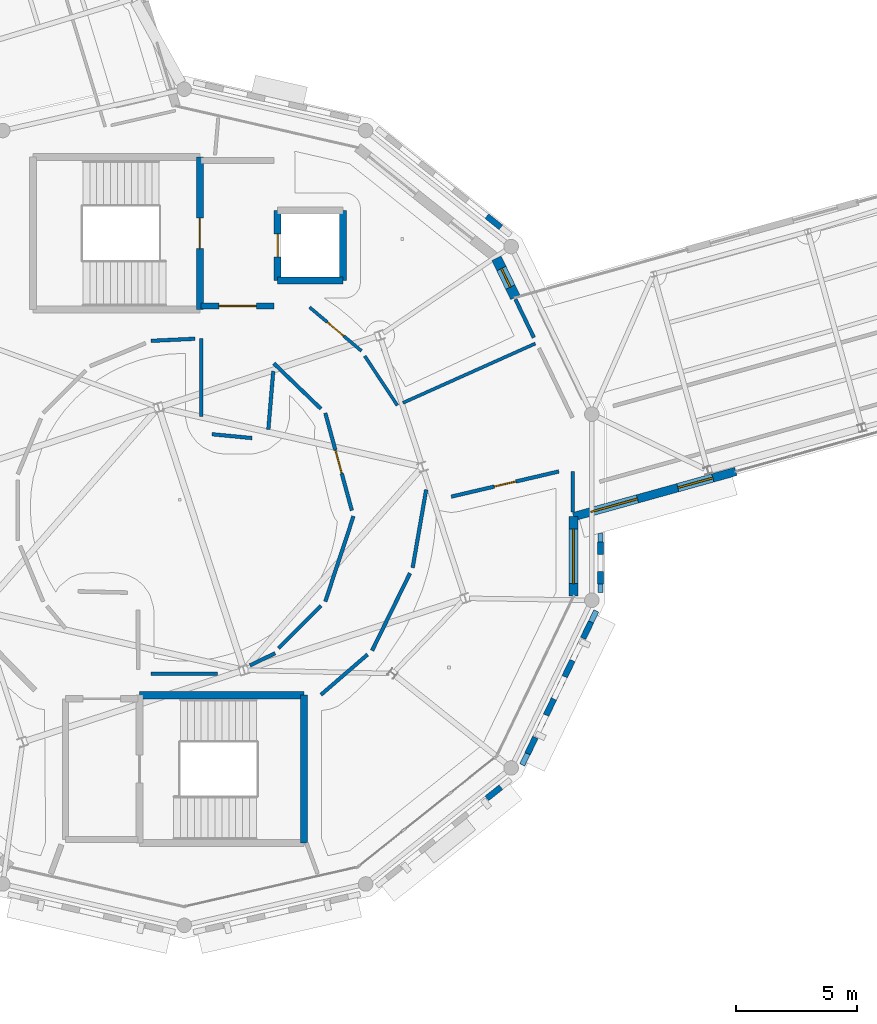
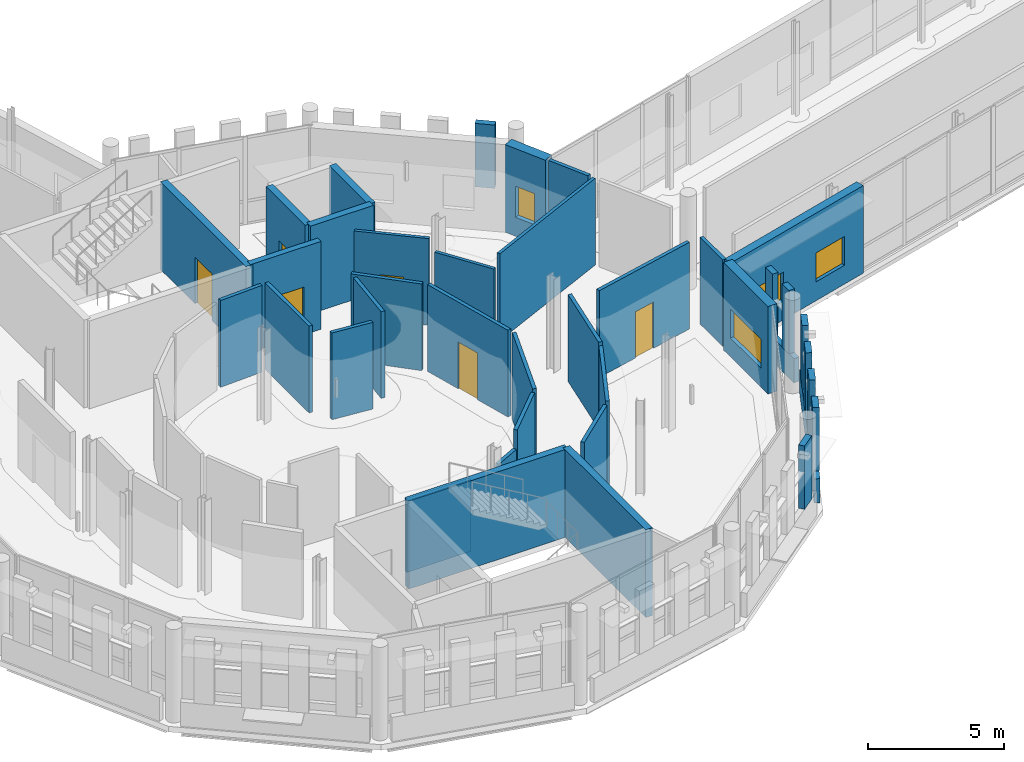
# One storey, part 88 of 125: 39 walls, 6 doors, 4 windows, 10 openings.
"""IFC4 building model written with IfcOpenShell, lengths in metres."""

from ifc_helpers import new_model, si_unit, direction, frame, frame_2d, origin, place, context, subcontext, project, spatial, rectangle, extrude, material, layer, layer_set, type_object, element, fill, save


model = new_model("IFC4")

# Units and contexts
model_context = context("Model", 3, precision=1e-05, world=origin(), true_north=direction((0.0, 1.0)))
body_context = subcontext(model_context, "Body", "Model", "MODEL_VIEW")
ifc_project = project(units=[si_unit("LENGTHUNIT", "METRE"), si_unit("AREAUNIT", "SQUARE_METRE"), si_unit("VOLUMEUNIT", "CUBIC_METRE"), si_unit("PLANEANGLEUNIT", "RADIAN"), si_unit("MASSUNIT", "GRAM", prefix="KILO")], contexts=[model_context])

# Site, building, storey
site_placement = place(None, origin())
site = spatial("IfcSite", under=ifc_project, at=site_placement, CompositionType="ELEMENT")
building_placement = place(site_placement, origin())
building = spatial("IfcBuilding", under=site, at=building_placement, Name="Wrenclough Park School", CompositionType="ELEMENT")
storey_placement = place(building_placement, frame((0.0, 0.0, 4.199951171875)))
storey = spatial("IfcBuildingStorey", under=building, at=storey_placement, Name="L01", CompositionType="ELEMENT", Elevation=4.199951171875)

# Walls
ifc_material_1 = material(Name="Perforated open-bond Staffordshire and Manchester brick screen pier", Category="masonry")
ifc_layer_1 = layer(ifc_material_1, 0.2451171875)
ifc_layer_set_1 = layer_set([ifc_layer_1], Name="Perforated open-bond Staffordshire and Manchester brick screen pier")
wall_type_1 = type_object("IfcWallType", Name="ENV-BS-PR245", PredefinedType="ELEMENTEDWALL", material=ifc_layer_set_1)
for number, where, z_axis, x_axis, name in (
    (1, (49.563232421875, 35.04833984375, 1.090087890625), (0.0, 0.0, 1.0), (-0.781833401173, 0.623487395872, 0.0), "D2 L01 perforated brick screen pier 0233"),
    (2, (48.984619140625, 11.489990234375, 1.090087890625), (0.0, 0.0, 1.0), (0.781833401173, 0.623487395872, 0.0), "D2 L01 perforated brick screen pier 0270"),
    (3, (50.666015625, 13.334716796875, 1.090087890625), (0.0, 0.0, 1.0), (0.433835457528, 0.900992117497, 0.0), "D2 L01 perforated brick screen pier 0271"),
    (4, (51.430419921875, 14.922119140625, 1.090087890625), (0.0, 0.0, 1.0), (0.433835457528, 0.900992117497, 0.0), "D2 L01 perforated brick screen pier 0272"),
):
    element("IfcWall", number, at=place(storey_placement, frame(where, z_axis=z_axis, x_axis=x_axis)), inside=storey, type_object=wall_type_1, Name=name, PredefinedType="ELEMENTEDWALL", context=body_context, shape_type="SweptSolid", body=[
        extrude(rectangle(XDim=0.739990234375, YDim=0.2451171875, at=frame_2d((0.3701171875, 0.0))), origin(), (0.0, 0.0, 1.0), 2.849853515625),
    ])
wall_1_placement = place(storey_placement, frame((52.19482421875, 16.509521484375, 1.090087890625), z_axis=(0.0, 0.0, 1.0), x_axis=(0.433964448544, 0.900929995837, 0.0)))
element("IfcWall", 5, at=wall_1_placement, inside=storey, type_object=wall_type_1, Name="D2 L01 perforated brick screen pier 0273", PredefinedType="ELEMENTEDWALL", context=body_context, shape_type="SweptSolid", body=[
    extrude(rectangle(XDim=0.73974609375, YDim=0.2451171875, at=frame_2d((0.369873046875, 0.0))), origin(), (0.0, 0.0, 1.0), 2.849853515625),
])
wall_2_placement = place(storey_placement, frame((52.959228515625, 18.0966796875, 1.090087890625), z_axis=(0.0, 0.0, 1.0), x_axis=(0.433835457528, 0.900992117497, 0.0)))
element("IfcWall", 6, at=wall_2_placement, inside=storey, type_object=wall_type_1, Name="D2 L01 perforated brick screen pier 0274", PredefinedType="ELEMENTEDWALL", context=body_context, shape_type="SweptSolid", body=[
    extrude(rectangle(XDim=0.739990234375, YDim=0.2451171875, at=frame_2d((0.3701171875, 0.0))), origin(), (0.0, 0.0, 1.0), 2.849853515625),
])
for number, where, z_axis, x_axis, name in (
    (7, (53.673583984375, 20.330322265625, 1.090087890625), (0.0, 0.0, 1.0), (0.0, 1.0, 0.0), "D2 L01 perforated brick screen pier 0275"),
    (8, (53.673583984375, 21.548828125, 1.090087890625), (0.0, 0.0, 1.0), (0.0, 1.0, 0.0), "D2 L01 perforated brick screen pier 0276"),
):
    element("IfcWall", number, at=place(storey_placement, frame(where, z_axis=z_axis, x_axis=x_axis)), inside=storey, type_object=wall_type_1, Name=name, PredefinedType="ELEMENTEDWALL", context=body_context, shape_type="SweptSolid", body=[
        extrude(rectangle(XDim=0.511962890625, YDim=0.2451171875, at=frame_2d((0.255859375, 0.0))), origin(), (0.0, 0.0, 1.0), 2.849853515625),
    ])
ifc_material_2 = material(Name="Open-bond Manchester multi-stock brick spandrel screen", Category="masonry")
ifc_layer_2 = layer(ifc_material_2, 0.22509765625)
ifc_layer_set_2 = layer_set([ifc_layer_2], Name="Open-bond Manchester multi-stock brick spandrel screen")
wall_type_2 = type_object("IfcWallType", Name="ENV-BS-SP225", PredefinedType="ELEMENTEDWALL", material=ifc_layer_set_2)
wall_3_placement = place(storey_placement, frame((50.4443359375, 12.87451171875, 0.0), z_axis=(0.0, 0.0, 1.0), x_axis=(0.433874990127, 0.900973081142, 0.0)))
element("IfcWall", 9, at=wall_3_placement, inside=storey, type_object=wall_type_2, Name="D2 L01 open-bond brick screen spandrel 0073", PredefinedType="ELEMENTEDWALL", context=body_context, shape_type="SweptSolid", body=[
    extrude(rectangle(XDim=7.047119140625, YDim=0.22509765625, at=frame_2d((3.5234375, 0.0))), origin(), (0.0, 0.0, 1.0), 1.090087890625),
])
wall_4_placement = place(storey_placement, frame((53.673583984375, 19.97705078125, 0.0), z_axis=(0.0, 0.0, 1.0), x_axis=(0.0, 1.0, 0.0)))
element("IfcWall", 10, at=wall_4_placement, inside=storey, type_object=wall_type_2, Name="D2 L01 open-bond brick screen spandrel 0074", PredefinedType="ELEMENTEDWALL", context=body_context, shape_type="SweptSolid", body=[
    extrude(rectangle(XDim=2.43701171875, YDim=0.22509765625, at=frame_2d((1.218505859375, 0.0))), origin(), (0.0, 0.0, 1.0), 1.090087890625),
])

# Wall, openings, windows
ifc_material_3 = material(Name="Staffordshire blue-grey brick and Concrete C35/45 inner leaf", Category="masonry")
ifc_layer_3 = layer(ifc_material_3, 0.35009765625)
ifc_layer_set_3 = layer_set([ifc_layer_3], Name="Staffordshire blue-grey brick and Concrete C35/45 inner leaf")
wall_type_3 = type_object("IfcWallType", Name="ENV-EW-350", PredefinedType="SOLIDWALL", material=ifc_layer_set_3)
wall_5_placement = place(storey_placement, frame((59.25927734375, 24.975341796875, 0.0), z_axis=(0.0, 0.0, 1.0), x_axis=(-0.963400554219, -0.268065984658, 0.0)))
wall_5 = element("IfcWall", 11, at=wall_5_placement, inside=storey, type_object=wall_type_3, Name="L01 insulated brick external wall 0106", PredefinedType="SOLIDWALL", context=body_context, shape_type="SweptSolid", body=[
    extrude(rectangle(XDim=6.949951171875, YDim=0.35009765625, at=frame_2d((3.47509765625, 0.0))), origin(), (0.0, 0.0, 1.0), 3.93994140625),
])
opening_1_placement = place(wall_5_placement, frame((0.987548828125, 0.0, 0.85009765625)))
opening_1 = element("IfcOpeningElement", 12, at=opening_1_placement, cuts=wall_5, Name="Opening WN-46", PredefinedType="OPENING", context=body_context, shape_type="SweptSolid", body=[
    extrude(rectangle(XDim=1.5, YDim=1.300048828125, at=frame_2d((0.75, 0.64990234375))), frame((0.0, 0.18505859375, 0.0), z_axis=(0.0, -1.0, 0.0), x_axis=(1.0, 0.0, 0.0)), (0.0, 0.0, 1.0), 0.3701171875),
])
opening_2_placement = place(wall_5_placement, frame((4.21240234375, 0.0, 0.85009765625)))
opening_2 = element("IfcOpeningElement", 13, at=opening_2_placement, cuts=wall_5, Name="Opening WN-47", PredefinedType="OPENING", context=body_context, shape_type="SweptSolid", body=[
    extrude(rectangle(XDim=2.0, YDim=1.300048828125, at=frame_2d((1.0, 0.64990234375))), frame((0.0, 0.18505859375, 0.0), z_axis=(0.0, -1.0, 0.0), x_axis=(1.0, 0.0, 0.0)), (0.0, 0.0, 1.0), 0.3701171875),
])
ifc_material_4 = material(Name="Thermally broken aluminium and double-glazed low-e glass", Category="aluminium")
window_type_1 = type_object("IfcWindowType", Name="ENV-WN-46", PartitioningType="DOUBLE_PANEL_VERTICAL", PredefinedType="WINDOW", material=ifc_material_4)
window_1_placement = place(opening_1_placement, origin())
window_1 = element("IfcWindow", 14, at=window_1_placement, inside=storey, type_object=window_type_1, Name="L01 scheduled facade window 0157", OverallHeight=1.300048828125, OverallWidth=1.5, PartitioningType="SINGLE_PANEL", PredefinedType="WINDOW", context=body_context, shape_type="SweptSolid", body=[
    extrude(rectangle(XDim=1.5, YDim=1.300048828125, at=frame_2d((0.75, 0.64990234375))), frame((0.0, 0.030029296875, 0.0), z_axis=(0.0, -1.0, 0.0), x_axis=(1.0, 0.0, 0.0)), (0.0, 0.0, 1.0), 0.06005859375),
])
fill(opening_1, window_1)
window_type_2 = type_object("IfcWindowType", Name="ENV-WN-47", PartitioningType="DOUBLE_PANEL_VERTICAL", PredefinedType="WINDOW", material=ifc_material_4)
window_2_placement = place(opening_2_placement, origin())
window_2 = element("IfcWindow", 15, at=window_2_placement, inside=storey, type_object=window_type_2, Name="L01 scheduled facade window 0158", OverallHeight=1.300048828125, OverallWidth=2.0, PartitioningType="SINGLE_PANEL", PredefinedType="WINDOW", context=body_context, shape_type="SweptSolid", body=[
    extrude(rectangle(XDim=2.0, YDim=1.300048828125, at=frame_2d((1.0, 0.64990234375))), frame((0.0, 0.030029296875, 0.0), z_axis=(0.0, -1.0, 0.0), x_axis=(1.0, 0.0, 0.0)), (0.0, 0.0, 1.0), 0.06005859375),
])
fill(opening_2, window_2)

# Wall, opening, window
ifc_material_5 = material(Name="Manchester multi-stock brick and Concrete C35/45 inner leaf", Category="masonry")
ifc_layer_4 = layer(ifc_material_5, 0.3798828125)
ifc_layer_set_4 = layer_set([ifc_layer_4], Name="Manchester multi-stock brick and Concrete C35/45 inner leaf")
wall_type_4 = type_object("IfcWallType", Name="ENV-EW-380", PredefinedType="SOLIDWALL", material=ifc_layer_set_4)
wall_6_placement = place(storey_placement, frame((52.563720703125, 23.1123046875, 0.0), z_axis=(0.0, 0.0, 1.0), x_axis=(0.0, -1.0, 0.0)))
wall_6 = element("IfcWall", 16, at=wall_6_placement, inside=storey, type_object=wall_type_4, Name="L01 insulated brick external wall 0107", PredefinedType="SOLIDWALL", context=body_context, shape_type="SweptSolid", body=[
    extrude(rectangle(XDim=3.27880859375, YDim=0.3798828125, at=frame_2d((1.639404296875, 0.0))), origin(), (0.0, 0.0, 1.0), 3.93994140625),
])
opening_3_placement = place(wall_6_placement, frame((0.514404296875, 0.0, 0.85009765625)))
opening_3 = element("IfcOpeningElement", 17, at=opening_3_placement, cuts=wall_6, Name="Opening WN-48", PredefinedType="OPENING", context=body_context, shape_type="SweptSolid", body=[
    extrude(rectangle(XDim=2.25, YDim=1.300048828125, at=frame_2d((1.125, 0.64990234375))), frame((0.0, 0.199951171875, 0.0), z_axis=(0.0, -1.0, 0.0), x_axis=(1.0, 0.0, 0.0)), (0.0, 0.0, 1.0), 0.39990234375),
])
window_type_3 = type_object("IfcWindowType", Name="ENV-WN-48", PartitioningType="DOUBLE_PANEL_VERTICAL", PredefinedType="WINDOW", material=ifc_material_4)
window_3_placement = place(opening_3_placement, origin())
window_3 = element("IfcWindow", 18, at=window_3_placement, inside=storey, type_object=window_type_3, Name="L01 scheduled facade window 0159", OverallHeight=1.300048828125, OverallWidth=2.25, PartitioningType="SINGLE_PANEL", PredefinedType="WINDOW", context=body_context, shape_type="SweptSolid", body=[
    extrude(rectangle(XDim=2.25, YDim=1.300048828125, at=frame_2d((1.125, 0.64990234375))), frame((0.0, 0.030029296875, 0.0), z_axis=(0.0, -1.0, 0.0), x_axis=(1.0, 0.0, 0.0)), (0.0, 0.0, 1.0), 0.06005859375),
])
fill(opening_3, window_3)

ifc_material_6 = material(Name="Insulated brick-clad sports hall wall Concrete C40/50", Category="masonry")
ifc_layer_5 = layer(ifc_material_6, 0.425048828125)
ifc_layer_set_5 = layer_set([ifc_layer_5], Name="Insulated brick-clad sports hall wall Concrete C40/50")
wall_type_5 = type_object("IfcWallType", Name="ENV-EW-425", PredefinedType="SOLIDWALL", material=ifc_layer_set_5)
wall_7_placement = place(storey_placement, frame((49.382080078125, 33.773193359375, 0.0), z_axis=(0.0, 0.0, 1.0), x_axis=(0.433922119058, -0.90095038409, 0.0)))
wall_7 = element("IfcWall", 19, at=wall_7_placement, inside=storey, type_object=wall_type_5, Name="L01 insulated brick external wall 0109", PredefinedType="SOLIDWALL", context=body_context, shape_type="SweptSolid", body=[
    extrude(rectangle(XDim=1.7919921875, YDim=0.425048828125, at=frame_2d((0.89599609375, 0.0))), origin(), (0.0, 0.0, 1.0), 3.93994140625),
])
opening_4_placement = place(wall_7_placement, frame((0.470947265625, 0.0, 0.85009765625)))
opening_4 = element("IfcOpeningElement", 20, at=opening_4_placement, cuts=wall_7, Name="Opening WN-01", PredefinedType="OPENING", context=body_context, shape_type="SweptSolid", body=[
    extrude(rectangle(XDim=0.85009765625, YDim=1.39990234375, at=frame_2d((0.425048828125, 0.699951171875))), frame((0.0, 0.222412109375, 0.0), z_axis=(0.0, -1.0, 0.0), x_axis=(1.0, 0.0, 0.0)), (0.0, 0.0, 1.0), 0.445068359375),
])
window_type_4 = type_object("IfcWindowType", Name="ENV-WN-01", PartitioningType="SINGLE_PANEL", PredefinedType="WINDOW", material=ifc_material_4)
window_4_placement = place(opening_4_placement, origin())
window_4 = element("IfcWindow", 21, at=window_4_placement, inside=storey, type_object=window_type_4, Name="L01 scheduled facade window 0162", OverallHeight=1.39990234375, OverallWidth=0.85009765625, PartitioningType="SINGLE_PANEL", PredefinedType="WINDOW", context=body_context, shape_type="SweptSolid", body=[
    extrude(rectangle(XDim=0.85009765625, YDim=1.39990234375, at=frame_2d((0.425048828125, 0.699951171875))), frame((0.0, 0.030029296875, 0.0), z_axis=(0.0, -1.0, 0.0), x_axis=(1.0, 0.0, 0.0)), (0.0, 0.0, 1.0), 0.06005859375),
])
fill(opening_4, window_4)

# Wall, opening, door
ifc_material_7 = material(Name="Concrete C35/45", Category="concrete")
ifc_layer_6 = layer(ifc_material_7, 0.25)
ifc_layer_set_6 = layer_set([ifc_layer_6], Name="Concrete C35/45")
wall_type_6 = type_object("IfcWallType", Name="INT-CW-250", PredefinedType="SHEAR", material=ifc_layer_set_6)
wall_8_placement = place(storey_placement, frame((37.199951171875, 31.800048828125, 0.0), z_axis=(0.0, 0.0, 1.0), x_axis=(1.0, 0.0, 0.0)))
wall_8 = element("IfcWall", 22, at=wall_8_placement, inside=storey, type_object=wall_type_6, Name="Core C2 L01 lobby fire wall south", PredefinedType="SHEAR", context=body_context, shape_type="SweptSolid", body=[
    extrude(rectangle(XDim=3.0, YDim=0.25, at=frame_2d((1.5, 0.0))), origin(), (0.0, 0.0, 1.0), 3.949951171875),
])
opening_5_placement = place(wall_8_placement, frame((0.72509765625, 0.0, 0.0)))
opening_5 = element("IfcOpeningElement", 23, at=opening_5_placement, cuts=wall_8, Name="Opening DLB-C2-L01", PredefinedType="OPENING", context=body_context, shape_type="SweptSolid", body=[
    extrude(rectangle(XDim=1.550048828125, YDim=2.14990234375, at=frame_2d((0.77490234375, 1.074951171875))), frame((0.0, 0.135009765625, 0.0), z_axis=(0.0, -1.0, 0.0), x_axis=(1.0, 0.0, 0.0)), (0.0, 0.0, 1.0), 0.27001953125),
])
ifc_material_8 = material(Name="Protected stair lobby double fire door assembly", Category="wood")
door_type_1 = type_object("IfcDoorType", Name="INT-DR-LB155", OperationType="NOTDEFINED", PredefinedType="DOOR", material=ifc_material_8)
door_1_placement = place(opening_5_placement, origin())
door_1 = element("IfcDoor", 24, at=door_1_placement, inside=storey, type_object=door_type_1, Name="Core C2 L01 protected lobby fire door", OperationType="DOUBLE_DOOR_SINGLE_SWING", OverallHeight=2.14990234375, OverallWidth=1.550048828125, PredefinedType="DOOR", context=body_context, shape_type="SweptSolid", body=[
    extrude(rectangle(XDim=1.550048828125, YDim=2.14990234375, at=frame_2d((0.77490234375, 1.074951171875))), frame((0.0, 0.02490234375, 0.0), z_axis=(0.0, -1.0, 0.0), x_axis=(1.0, 0.0, 0.0)), (0.0, 0.0, 1.0), 0.050048828125),
])
fill(opening_5, door_1)

ifc_material_9 = material(Name="Concrete C40/50", Category="concrete")
ifc_layer_7 = layer(ifc_material_9, 0.2900390625)
ifc_layer_set_7 = layer_set([ifc_layer_7], Name="Concrete C40/50")
wall_type_7 = type_object("IfcWallType", Name="INT-CW-290", PredefinedType="SHEAR", material=ifc_layer_set_7)
wall_9_placement = place(storey_placement, frame((37.14501953125, 31.655029296875, 0.0), z_axis=(0.0, 0.0, 1.0), x_axis=(0.0, 1.0, 0.0)))
wall_9 = element("IfcWall", 25, at=wall_9_placement, inside=storey, type_object=wall_type_7, Name="Core C2 L01 east shear wall", PredefinedType="SHEAR", context=body_context, shape_type="SweptSolid", body=[
    extrude(rectangle(XDim=6.2900390625, YDim=0.2900390625, at=frame_2d((3.14501953125, 0.0))), origin(), (0.0, 0.0, 1.0), 3.949951171875),
])
opening_6_placement = place(wall_9_placement, frame((2.52001953125, 0.0, 0.0)))
opening_6 = element("IfcOpeningElement", 26, at=opening_6_placement, cuts=wall_9, Name="Opening DST-C2-L01", PredefinedType="OPENING", context=body_context, shape_type="SweptSolid", body=[
    extrude(rectangle(XDim=1.25, YDim=2.10009765625, at=frame_2d((0.625, 1.050048828125))), frame((0.0, 0.155029296875, 0.0), z_axis=(0.0, -1.0, 0.0), x_axis=(1.0, 0.0, 0.0)), (0.0, 0.0, 1.0), 0.31005859375),
])
ifc_material_10 = material(Name="Wide protected escape stair fire door assembly", Category="wood")
door_type_2 = type_object("IfcDoorType", Name="INT-DR-ST125", OperationType="NOTDEFINED", PredefinedType="DOOR", material=ifc_material_10)
door_2_placement = place(opening_6_placement, origin())
door_2 = element("IfcDoor", 27, at=door_2_placement, inside=storey, type_object=door_type_2, Name="Stair ST-02 L01 fire door", OperationType="SINGLE_SWING_RIGHT", OverallHeight=2.10009765625, OverallWidth=1.25, PredefinedType="DOOR", context=body_context, shape_type="SweptSolid", body=[
    extrude(rectangle(XDim=1.25, YDim=2.10009765625, at=frame_2d((0.625, 1.050048828125))), frame((0.0, 0.02490234375, 0.0), z_axis=(0.0, -1.0, 0.0), x_axis=(1.0, 0.0, 0.0)), (0.0, 0.0, 1.0), 0.050048828125),
])
fill(opening_6, door_2)

# Walls
wall_10_placement = place(storey_placement, frame((40.35498046875, 32.85498046875, 0.0), z_axis=(0.0, 0.0, 1.0), x_axis=(1.0, 0.0, 0.0)))
element("IfcWall", 28, at=wall_10_placement, inside=storey, type_object=wall_type_7, Name="Lift LFT-04 L01 south shaft wall", PredefinedType="SHEAR", context=body_context, shape_type="SweptSolid", body=[
    extrude(rectangle(XDim=2.68994140625, YDim=0.2900390625, at=frame_2d((1.344970703125, 0.0))), origin(), (0.0, 0.0, 1.0), 3.949951171875),
])
wall_11_placement = place(storey_placement, frame((43.044921875, 32.85498046875, 0.0), z_axis=(0.0, 0.0, 1.0), x_axis=(0.0, 1.0, 0.0)))
element("IfcWall", 29, at=wall_11_placement, inside=storey, type_object=wall_type_7, Name="Lift LFT-04 L01 east shaft wall", PredefinedType="SHEAR", context=body_context, shape_type="SweptSolid", body=[
    extrude(rectangle(XDim=2.89013671875, YDim=0.2900390625, at=frame_2d((1.445068359375, 0.0))), origin(), (0.0, 0.0, 1.0), 3.949951171875),
])

# Wall, opening, door
wall_12_placement = place(storey_placement, frame((40.35498046875, 35.7451171875, 0.0), z_axis=(0.0, 0.0, 1.0), x_axis=(0.0, -1.0, 0.0)))
wall_12 = element("IfcWall", 30, at=wall_12_placement, inside=storey, type_object=wall_type_7, Name="Lift LFT-04 L01 west shaft wall", PredefinedType="SHEAR", context=body_context, shape_type="SweptSolid", body=[
    extrude(rectangle(XDim=2.89013671875, YDim=0.2900390625, at=frame_2d((1.445068359375, 0.0))), origin(), (0.0, 0.0, 1.0), 3.949951171875),
])
opening_7_placement = place(wall_12_placement, frame((0.969970703125, 0.0, 0.0)))
opening_7 = element("IfcOpeningElement", 31, at=opening_7_placement, cuts=wall_12, Name="Opening LD-04-L01", PredefinedType="OPENING", context=body_context, shape_type="SweptSolid", body=[
    extrude(rectangle(XDim=0.949951171875, YDim=2.10009765625, at=frame_2d((0.47509765625, 1.050048828125))), frame((0.0, 0.155029296875, 0.0), z_axis=(0.0, -1.0, 0.0), x_axis=(1.0, 0.0, 0.0)), (0.0, 0.0, 1.0), 0.31005859375),
])
ifc_material_11 = material(Name="Brushed stainless steel", Category="steel")
door_type_3 = type_object("IfcDoorType", Name="INT-DR-LD095", OperationType="NOTDEFINED", PredefinedType="DOOR", material=ifc_material_11)
door_3_placement = place(opening_7_placement, frame((0.949951171875, 0.0, 0.0), z_axis=(0.0, 0.0, 1.0), x_axis=(-1.0, 0.0, 0.0)))
door_3 = element("IfcDoor", 32, at=door_3_placement, inside=storey, type_object=door_type_3, Name="Lift LFT-04 L01 sliding landing door", OperationType="SLIDING_TO_LEFT", OverallHeight=2.10009765625, OverallWidth=0.949951171875, PredefinedType="DOOR", context=body_context, shape_type="SweptSolid", body=[
    extrude(rectangle(XDim=0.949951171875, YDim=2.10009765625, at=frame_2d((0.47509765625, 1.050048828125))), frame((0.0, 0.02490234375, 0.0), z_axis=(0.0, -1.0, 0.0), x_axis=(1.0, 0.0, 0.0)), (0.0, 0.0, 1.0), 0.050048828125),
])
fill(opening_7, door_3)

# Walls
wall_13_placement = place(storey_placement, frame((41.445068359375, 9.655029296875, 0.0), z_axis=(0.0, 0.0, 1.0), x_axis=(0.0, 1.0, 0.0)))
element("IfcWall", 33, at=wall_13_placement, inside=storey, type_object=wall_type_7, Name="Core C2B L01 east shear wall", PredefinedType="SHEAR", context=body_context, shape_type="SweptSolid", body=[
    extrude(rectangle(XDim=6.090087890625, YDim=0.2900390625, at=frame_2d((3.044921875, 0.0))), origin(), (0.0, 0.0, 1.0), 3.949951171875),
])
wall_14_placement = place(storey_placement, frame((41.445068359375, 15.7451171875, 0.0), z_axis=(0.0, 0.0, 1.0), x_axis=(-1.0, 0.0, 0.0)))
element("IfcWall", 34, at=wall_14_placement, inside=storey, type_object=wall_type_7, Name="Core C2B L01 north shear wall", PredefinedType="SHEAR", context=body_context, shape_type="SweptSolid", body=[
    extrude(rectangle(XDim=6.7900390625, YDim=0.2900390625, at=frame_2d((3.39501953125, 0.0))), origin(), (0.0, 0.0, 1.0), 3.949951171875),
])

# Wall, opening, door
ifc_material_12 = material(Name="Standard fire-rated room partition", Category="gypsum")
ifc_layer_8 = layer(ifc_material_12, 0.1298828125)
ifc_layer_set_8 = layer_set([ifc_layer_8], Name="Standard fire-rated room partition")
wall_type_8 = type_object("IfcWallType", Name="INT-PW-130", PredefinedType="PARTITIONING", material=ifc_layer_set_8)
wall_15_placement = place(storey_placement, frame((41.673095703125, 31.751708984375, 0.0), z_axis=(0.0, 0.0, 1.0), x_axis=(0.764524009618, -0.644595251858, 0.0)))
wall_15 = element("IfcWall", 35, at=wall_15_placement, inside=storey, type_object=wall_type_8, Name="L01 internal partition 0217", PredefinedType="PARTITIONING", context=body_context, shape_type="SweptSolid", body=[
    extrude(rectangle(XDim=2.797119140625, YDim=0.1298828125, at=frame_2d((1.3984375, 0.0))), origin(), (0.0, 0.0, 1.0), 3.900146484375),
])
opening_8_placement = place(wall_15_placement, frame((0.948486328125, 0.0, 0.0)))
opening_8 = element("IfcOpeningElement", 36, at=opening_8_placement, cuts=wall_15, Name="Opening DR-L01-037", PredefinedType="OPENING", context=body_context, shape_type="SweptSolid", body=[
    extrude(rectangle(XDim=0.89990234375, YDim=2.050048828125, at=frame_2d((0.449951171875, 1.02490234375))), frame((0.0, 0.074951171875, 0.0), z_axis=(0.0, -1.0, 0.0), x_axis=(1.0, 0.0, 0.0)), (0.0, 0.0, 1.0), 0.14990234375),
])
ifc_material_13 = material(Name="Staff office fire-rated timber door assembly", Category="wood")
door_type_4 = type_object("IfcDoorType", Name="INT-DR-OFF090", OperationType="NOTDEFINED", PredefinedType="DOOR", material=ifc_material_13)
door_4_placement = place(opening_8_placement, origin())
door_4 = element("IfcDoor", 37, at=door_4_placement, inside=storey, type_object=door_type_4, Name="Performing Arts Staff Office door DR-L01-037", OperationType="SINGLE_SWING_RIGHT", OverallHeight=2.050048828125, OverallWidth=0.89990234375, PredefinedType="DOOR", context=body_context, shape_type="SweptSolid", body=[
    extrude(rectangle(XDim=0.89990234375, YDim=2.050048828125, at=frame_2d((0.449951171875, 1.02490234375))), frame((0.0, 0.02490234375, 0.0), z_axis=(0.0, -1.0, 0.0), x_axis=(1.0, 0.0, 0.0)), (0.0, 0.0, 1.0), 0.050048828125),
])
fill(opening_8, door_4)

# Walls
wall_16_placement = place(storey_placement, frame((43.94921875, 29.739990234375, 0.0), z_axis=(0.0, 0.0, 1.0), x_axis=(0.551022081773, -0.83449066226, 0.0)))
element("IfcWall", 38, at=wall_16_placement, inside=storey, type_object=wall_type_8, Name="L01 internal partition 0218", PredefinedType="PARTITIONING", context=body_context, shape_type="SweptSolid", body=[
    extrude(rectangle(XDim=2.439208984375, YDim=0.1298828125, at=frame_2d((1.2197265625, 0.0))), origin(), (0.0, 0.0, 1.0), 3.368896484375),
])
wall_17_placement = place(storey_placement, frame((45.521240234375, 27.806884765625, 0.0), z_axis=(0.0, 0.0, 1.0), x_axis=(0.912607408179, 0.408837031758, 0.0)))
element("IfcWall", 39, at=wall_17_placement, inside=storey, type_object=wall_type_8, Name="L01 internal partition 0219", PredefinedType="PARTITIONING", context=body_context, shape_type="SweptSolid", body=[
    extrude(rectangle(XDim=5.989501953125, YDim=0.1298828125, at=frame_2d((2.99462890625, 0.0))), origin(), (0.0, 0.0, 1.0), 3.900146484375),
])
ifc_material_14 = material(Name="Protected corridor partition", Category="gypsum")
ifc_layer_9 = layer(ifc_material_14, 0.14990234375)
ifc_layer_set_9 = layer_set([ifc_layer_9], Name="Protected corridor partition")
wall_type_9 = type_object("IfcWallType", Name="INT-PW-150", PredefinedType="PARTITIONING", material=ifc_layer_set_9)
wall_18_placement = place(storey_placement, frame((40.24658203125, 17.47802734375, 0.0), z_axis=(0.0, 0.0, 1.0), x_axis=(-0.899429373924, -0.437066129234, 0.0)))
element("IfcWall", 40, at=wall_18_placement, inside=storey, type_object=wall_type_9, Name="L01 internal partition 0211", PredefinedType="PARTITIONING", context=body_context, shape_type="SweptSolid", body=[
    extrude(rectangle(XDim=1.1484375, YDim=0.14990234375, at=frame_2d((0.57421875, 0.0))), origin(), (0.0, 0.0, 1.0), 3.218505859375),
])

# Wall, opening, door
wall_19_placement = place(storey_placement, frame((51.95703125, 24.97802734375, 0.0), z_axis=(0.0, 0.0, 1.0), x_axis=(-0.973682617982, -0.227908225917, 0.0)))
wall_19 = element("IfcWall", 41, at=wall_19_placement, inside=storey, type_object=wall_type_9, Name="L01 internal partition 0213", PredefinedType="PARTITIONING", context=body_context, shape_type="SweptSolid", body=[
    extrude(rectangle(XDim=4.560302734375, YDim=0.14990234375, at=frame_2d((2.2802734375, 0.0))), origin(), (0.0, 0.0, 1.0), 3.900146484375),
])
opening_9_placement = place(wall_19_placement, frame((1.820068359375, 0.0, 0.0)))
opening_9 = element("IfcOpeningElement", 42, at=opening_9_placement, cuts=wall_19, Name="Opening DR-L01-036", PredefinedType="OPENING", context=body_context, shape_type="SweptSolid", body=[
    extrude(rectangle(XDim=0.919921875, YDim=2.080078125, at=frame_2d((0.4599609375, 1.0400390625))), frame((0.0, 0.0849609375, 0.0), z_axis=(0.0, -1.0, 0.0), x_axis=(1.0, 0.0, 0.0)), (0.0, 0.0, 1.0), 0.169921875),
])
ifc_material_15 = material(Name="Acoustic classroom single leaf vision door assembly", Category="wood")
door_type_5 = type_object("IfcDoorType", Name="INT-DR-CL092", OperationType="NOTDEFINED", PredefinedType="DOOR", material=ifc_material_15)
door_5_placement = place(opening_9_placement, origin())
door_5 = element("IfcDoor", 43, at=door_5_placement, inside=storey, type_object=door_type_5, Name="Media Production Classroom door DR-L01-036", OperationType="SINGLE_SWING_LEFT", OverallHeight=2.080078125, OverallWidth=0.919921875, PredefinedType="DOOR", context=body_context, shape_type="SweptSolid", body=[
    extrude(rectangle(XDim=0.919921875, YDim=2.080078125, at=frame_2d((0.4599609375, 1.0400390625))), frame((0.0, 0.02490234375, 0.0), z_axis=(0.0, -1.0, 0.0), x_axis=(1.0, 0.0, 0.0)), (0.0, 0.0, 1.0), 0.050048828125),
])
fill(opening_9, door_5)

# Walls
wall_20_placement = place(storey_placement, frame((46.482421875, 24.226318359375, 0.0), z_axis=(0.0, 0.0, 1.0), x_axis=(-0.170701699763, -0.985322754075, 0.0)))
element("IfcWall", 44, at=wall_20_placement, inside=storey, type_object=wall_type_9, Name="L01 internal partition 0214", PredefinedType="PARTITIONING", context=body_context, shape_type="SweptSolid", body=[
    extrude(rectangle(XDim=3.27099609375, YDim=0.14990234375, at=frame_2d((1.635498046875, 0.0))), origin(), (0.0, 0.0, 1.0), 3.900146484375),
])
wall_21_placement = place(storey_placement, frame((45.814208984375, 20.77880859375, 0.0), z_axis=(0.0, 0.0, 1.0), x_axis=(-0.439779254339, -0.89810589991, 0.0)))
element("IfcWall", 45, at=wall_21_placement, inside=storey, type_object=wall_type_9, Name="L01 internal partition 0215", PredefinedType="PARTITIONING", context=body_context, shape_type="SweptSolid", body=[
    extrude(rectangle(XDim=3.553955078125, YDim=0.14990234375, at=frame_2d((1.77685546875, 0.0))), origin(), (0.0, 0.0, 1.0), 3.900146484375),
])
wall_22_placement = place(storey_placement, frame((44.06201171875, 17.423583984375, 0.0), z_axis=(0.0, 0.0, 1.0), x_axis=(-0.756768999512, -0.653682401, 0.0)))
element("IfcWall", 46, at=wall_22_placement, inside=storey, type_object=wall_type_9, Name="L01 internal partition 0216", PredefinedType="PARTITIONING", context=body_context, shape_type="SweptSolid", body=[
    extrude(rectangle(XDim=2.541259765625, YDim=0.14990234375, at=frame_2d((1.2705078125, 0.0))), origin(), (0.0, 0.0, 1.0), 3.900146484375),
])
wall_23_placement = place(storey_placement, frame((42.3203125, 19.611083984375, 0.0), z_axis=(0.0, 0.0, 1.0), x_axis=(0.313635484033, 0.949543460383, 0.0)))
element("IfcWall", 47, at=wall_23_placement, inside=storey, type_object=wall_type_9, Name="L01 internal partition 0221", PredefinedType="PARTITIONING", context=body_context, shape_type="SweptSolid", body=[
    extrude(rectangle(XDim=3.702880859375, YDim=0.14990234375, at=frame_2d((1.8515625, 0.0))), origin(), (0.0, 0.0, 1.0), 3.900146484375),
])

# Wall, opening, door
wall_24_placement = place(storey_placement, frame((43.416015625, 23.368408203125, 0.0), z_axis=(0.0, 0.0, 1.0), x_axis=(-0.262938935949, 0.964812477097, 0.0)))
wall_24 = element("IfcWall", 48, at=wall_24_placement, inside=storey, type_object=wall_type_9, Name="L01 internal partition 0222", PredefinedType="PARTITIONING", context=body_context, shape_type="SweptSolid", body=[
    extrude(rectangle(XDim=4.167236328125, YDim=0.14990234375, at=frame_2d((2.08349609375, 0.0))), origin(), (0.0, 0.0, 1.0), 3.900146484375),
])
opening_10_placement = place(wall_24_placement, frame((1.583740234375, 0.0, 0.0)))
opening_10 = element("IfcOpeningElement", 49, at=opening_10_placement, cuts=wall_24, Name="Opening DR-L01-038", PredefinedType="OPENING", context=body_context, shape_type="SweptSolid", body=[
    extrude(rectangle(XDim=1.0, YDim=2.10009765625, at=frame_2d((0.5, 1.050048828125))), frame((0.0, 0.0849609375, 0.0), z_axis=(0.0, -1.0, 0.0), x_axis=(1.0, 0.0, 0.0)), (0.0, 0.0, 1.0), 0.169921875),
])
ifc_material_16 = material(Name="Humanities classroom vision door assembly", Category="wood")
door_type_6 = type_object("IfcDoorType", Name="INT-DR-CL100", OperationType="NOTDEFINED", PredefinedType="DOOR", material=ifc_material_16)
door_6_placement = place(opening_10_placement, origin())
door_6 = element("IfcDoor", 50, at=door_6_placement, inside=storey, type_object=door_type_6, Name="Acoustic Recording Classroom door DR-L01-038", OperationType="SINGLE_SWING_LEFT", OverallHeight=2.10009765625, OverallWidth=1.0, PredefinedType="DOOR", context=body_context, shape_type="SweptSolid", body=[
    extrude(rectangle(XDim=1.0, YDim=2.10009765625, at=frame_2d((0.5, 1.050048828125))), frame((0.0, 0.02490234375, 0.0), z_axis=(0.0, -1.0, 0.0), x_axis=(1.0, 0.0, 0.0)), (0.0, 0.0, 1.0), 0.050048828125),
])
fill(opening_10, door_6)

# Walls
wall_25_placement = place(storey_placement, frame((42.140625, 27.562255859375, 0.0), z_axis=(0.0, 0.0, 1.0), x_axis=(-0.719849143542, 0.694130542867, 0.0)))
element("IfcWall", 51, at=wall_25_placement, inside=storey, type_object=wall_type_9, Name="L01 internal partition 0223", PredefinedType="PARTITIONING", context=body_context, shape_type="SweptSolid", body=[
    extrude(rectangle(XDim=2.696044921875, YDim=0.14990234375, at=frame_2d((1.34814453125, 0.0))), origin(), (0.0, 0.0, 1.0), 3.900146484375),
])
wall_26_placement = place(storey_placement, frame((40.173095703125, 29.1123046875, 0.0), z_axis=(0.0, 0.0, 1.0), x_axis=(-0.083924087796, -0.996472150884, 0.0)))
element("IfcWall", 52, at=wall_26_placement, inside=storey, type_object=wall_type_9, Name="L01 internal partition 0224", PredefinedType="PARTITIONING", context=body_context, shape_type="SweptSolid", body=[
    extrude(rectangle(XDim=2.41455078125, YDim=0.14990234375, at=frame_2d((1.207275390625, 0.0))), origin(), (0.0, 0.0, 1.0), 3.900146484375),
])
wall_27_placement = place(storey_placement, frame((39.2998046875, 26.354248046875, 0.0), z_axis=(0.0, 0.0, 1.0), x_axis=(-0.995426515274, 0.095530375746, 0.0)))
element("IfcWall", 53, at=wall_27_placement, inside=storey, type_object=wall_type_9, Name="L01 internal partition 0225", PredefinedType="PARTITIONING", context=body_context, shape_type="SweptSolid", body=[
    extrude(rectangle(XDim=1.6611328125, YDim=0.14990234375, at=frame_2d((0.83056640625, 0.0))), origin(), (0.0, 0.0, 1.0), 3.900146484375),
])
wall_28_placement = place(storey_placement, frame((37.205810546875, 27.235595703125, 0.0), z_axis=(0.0, 0.0, 1.0), x_axis=(-0.001814879044, 0.999998353106, 0.0)))
element("IfcWall", 54, at=wall_28_placement, inside=storey, type_object=wall_type_9, Name="L01 internal partition 0226", PredefinedType="PARTITIONING", context=body_context, shape_type="SweptSolid", body=[
    extrude(rectangle(XDim=3.228515625, YDim=0.14990234375, at=frame_2d((1.6142578125, 0.0))), origin(), (0.0, 0.0, 1.0), 3.900146484375),
])
wall_29_placement = place(storey_placement, frame((36.949951171875, 30.452392578125, 0.0), z_axis=(0.0, 0.0, 1.0), x_axis=(-0.998855948809, -0.04782043004, 0.0)))
element("IfcWall", 55, at=wall_29_placement, inside=storey, type_object=wall_type_9, Name="L01 internal partition 0227", PredefinedType="PARTITIONING", context=body_context, shape_type="SweptSolid", body=[
    extrude(rectangle(XDim=1.817626953125, YDim=0.14990234375, at=frame_2d((0.90869140625, 0.0))), origin(), (0.0, 0.0, 1.0), 3.900146484375),
])
wall_30_placement = place(storey_placement, frame((35.134521484375, 16.634521484375, 0.0), z_axis=(0.0, 0.0, 1.0), x_axis=(1.0, 0.0, 0.0)))
element("IfcWall", 56, at=wall_30_placement, inside=storey, type_object=wall_type_9, Name="L01 internal partition 0236", PredefinedType="PARTITIONING", context=body_context, shape_type="SweptSolid", body=[
    extrude(rectangle(XDim=2.73095703125, YDim=0.14990234375, at=frame_2d((1.365478515625, 0.0))), origin(), (0.0, 0.0, 1.0), 3.218505859375),
])
wall_31_placement = place(storey_placement, frame((40.39111328125, 17.681884765625, 0.0), z_axis=(0.0, 0.0, 1.0), x_axis=(0.70715603118, 0.707057527763, 0.0)))
element("IfcWall", 57, at=wall_31_placement, inside=storey, type_object=wall_type_9, Name="L01 internal partition 0237", PredefinedType="PARTITIONING", context=body_context, shape_type="SweptSolid", body=[
    extrude(rectangle(XDim=2.478515625, YDim=0.14990234375, at=frame_2d((1.2392578125, 0.0))), origin(), (0.0, 0.0, 1.0), 3.900146484375),
])
wall_32_placement = place(storey_placement, frame((52.53369140625, 24.984375, 0.0), z_axis=(0.0, 0.0, 1.0), x_axis=(0.0, -1.0, 0.0)))
element("IfcWall", 58, at=wall_32_placement, inside=storey, type_object=wall_type_9, Name="L01 internal partition 0271", PredefinedType="PARTITIONING", context=body_context, shape_type="SweptSolid", body=[
    extrude(rectangle(XDim=1.6728515625, YDim=0.14990234375, at=frame_2d((0.83642578125, 0.0))), origin(), (0.0, 0.0, 1.0), 3.900146484375),
])
wall_33_placement = place(storey_placement, frame((50.16552734375, 32.077392578125, 0.0), z_axis=(0.0, 0.0, 1.0), x_axis=(0.433907727198, -0.900957315458, 0.0)))
element("IfcWall", 59, at=wall_33_placement, inside=storey, type_object=wall_type_9, Name="L01 internal partition 0274", PredefinedType="PARTITIONING", context=body_context, shape_type="SweptSolid", body=[
    extrude(rectangle(XDim=1.753173828125, YDim=0.14990234375, at=frame_2d((0.87646484375, 0.0))), origin(), (0.0, 0.0, 1.0), 3.900146484375),
])

save(model, "model.ifc")
